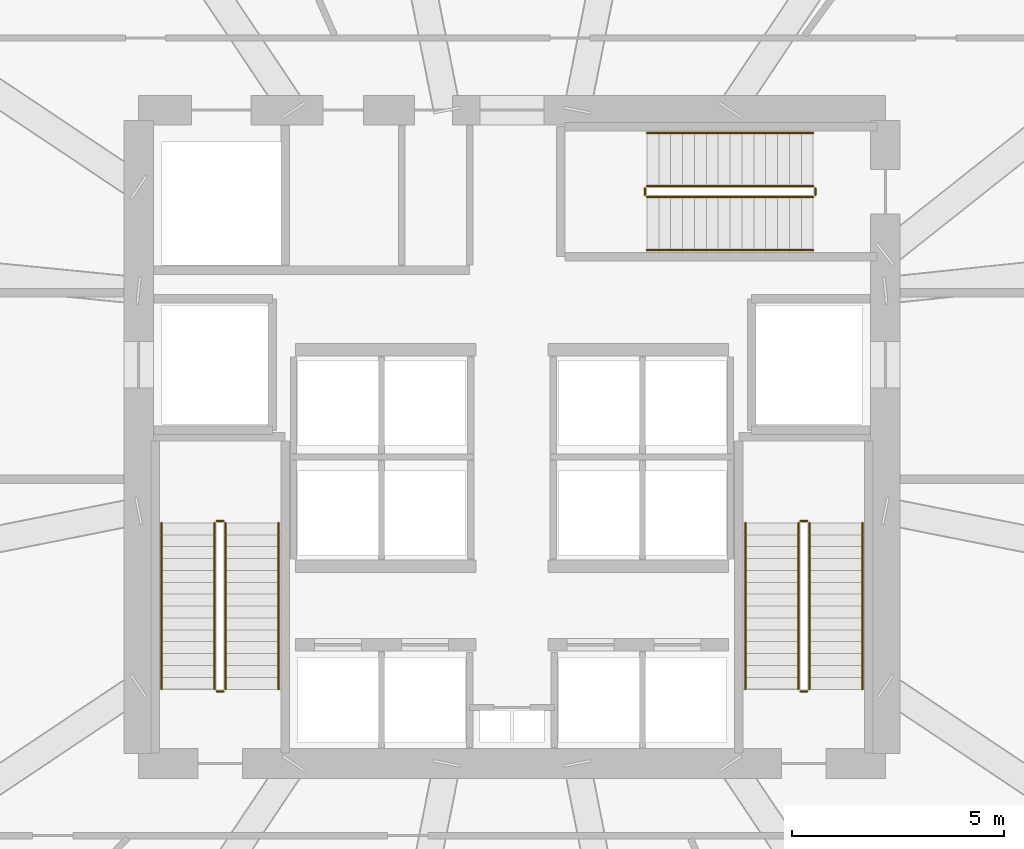
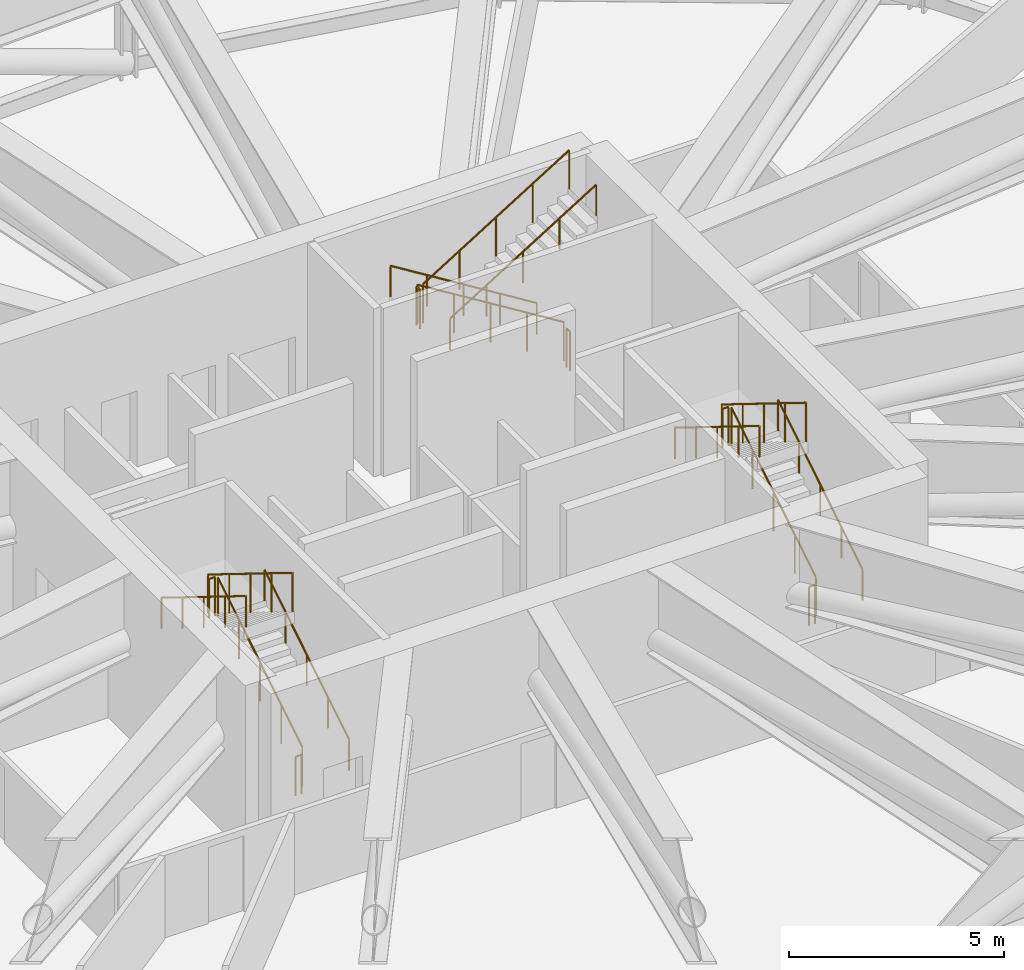
# One storey, part 33 of 33: 18 railings.
"""IFC4 building model written with IfcOpenShell, lengths in metres."""

from ifc_helpers import new_model, si_unit, direction, frame, origin, origin_2d, place, context, subcontext, project, spatial, circle, extrude, material, type_object, element, save


model = new_model("IFC4")

# Units and contexts
model_context = context("Model", 3, precision=1e-05, world=origin(), true_north=direction((0.0, 1.0)))
body_context = subcontext(model_context, "Body", "Model", "MODEL_VIEW")
ifc_project = project(units=[si_unit("LENGTHUNIT", "METRE"), si_unit("AREAUNIT", "SQUARE_METRE"), si_unit("VOLUMEUNIT", "CUBIC_METRE"), si_unit("PLANEANGLEUNIT", "RADIAN"), si_unit("MASSUNIT", "GRAM", prefix="KILO"), si_unit("THERMODYNAMICTEMPERATUREUNIT", "KELVIN")], contexts=[model_context])

# Site, building, storey
site_placement = place(None, origin())
site = spatial("IfcSite", under=ifc_project, at=site_placement, CompositionType="ELEMENT")
building_placement = place(site_placement, origin())
building = spatial("IfcBuilding", under=site, at=building_placement, Name="Kethvar Cultural Tower", CompositionType="ELEMENT")
storey_placement = place(building_placement, frame((0.0, 0.0, 80.39990234375)))
storey = spatial("IfcBuildingStorey", under=building, at=storey_placement, Name="L19", CompositionType="ELEMENT", Elevation=80.39990234375)

# Railings
ifc_material = material(Name="Steel S355J2", Category="steel")
railing_type_1 = type_object("IfcRailingType", Name="RL-STAIR-GUARD", PredefinedType="BALUSTRADE", material=ifc_material)
railing_1_placement = place(storey_placement, frame((40.050048828125, 21.85009765625, 0.17333984375)))
element("IfcRailing", 1, at=railing_1_placement, inside=storey, type_object=railing_type_1, Name="L19 ST-01 stair guard 1", PredefinedType="BALUSTRADE", context=body_context, shape_type="SweptSolid", body=[
    extrude(circle(Radius=0.02392578125, at=origin_2d()), frame((0.0, 0.0, 1.09619140625), z_axis=(0.0, 0.850251603719, 0.526376491091), x_axis=(-1.0, 0.0, 0.0)), (0.0, 0.0, 1.0), 4.6103515625),
    extrude(circle(Radius=0.02099609375, at=origin_2d()), origin(), (0.0, 0.0, 1.0), 1.072021484375),
    extrude(circle(Radius=0.02099609375, at=origin_2d()), frame((0.0, 0.97998046875, 0.606689453125)), (0.0, 0.0, 1.0), 1.072021484375),
    extrude(circle(Radius=0.02099609375, at=origin_2d()), frame((0.0, 1.9599609375, 1.21337890625)), (0.0, 0.0, 1.0), 1.072021484375),
    extrude(circle(Radius=0.02099609375, at=origin_2d()), frame((0.0, 2.93994140625, 1.820068359375)), (0.0, 0.0, 1.0), 1.072021484375),
    extrude(circle(Radius=0.02099609375, at=origin_2d()), frame((0.0, 3.919921875, 2.4267578125)), (0.0, 0.0, 1.0), 1.072021484375),
])
railing_2_placement = place(storey_placement, frame((40.0, 25.820068359375, 2.60009765625)))
element("IfcRailing", 2, at=railing_2_placement, inside=storey, type_object=railing_type_1, Name="L19 ST-01 stair guard 2", PredefinedType="BALUSTRADE", context=body_context, shape_type="SweptSolid", body=[
    extrude(circle(Radius=0.02392578125, at=origin_2d()), frame((0.0, 0.0, 1.09619140625), z_axis=(-1.0, 0.0, 0.0), x_axis=(0.0, -1.0, 0.0)), (0.0, 0.0, 1.0), 0.159912109375),
    extrude(circle(Radius=0.02099609375, at=origin_2d()), origin(), (0.0, 0.0, 1.0), 1.072021484375),
    extrude(circle(Radius=0.02099609375, at=origin_2d()), frame((-0.159912109375, 0.0, 0.0)), (0.0, 0.0, 1.0), 1.072021484375),
])
railing_3_placement = place(storey_placement, frame((39.7900390625, 25.77001953125, 2.7734375)))
element("IfcRailing", 3, at=railing_3_placement, inside=storey, type_object=railing_type_1, Name="L19 ST-01 stair guard 3", PredefinedType="BALUSTRADE", context=body_context, shape_type="SweptSolid", body=[
    extrude(circle(Radius=0.02392578125, at=origin_2d()), frame((0.0, 0.0, 1.09619140625), z_axis=(0.0, -0.850251603719, 0.526376491091), x_axis=(1.0, 0.0, 0.0)), (0.0, 0.0, 1.0), 4.6103515625),
    extrude(circle(Radius=0.02099609375, at=origin_2d()), origin(), (0.0, 0.0, 1.0), 1.072021484375),
    extrude(circle(Radius=0.02099609375, at=origin_2d()), frame((0.0, -0.97998046875, 0.606689453125)), (0.0, 0.0, 1.0), 1.072021484375),
    extrude(circle(Radius=0.02099609375, at=origin_2d()), frame((0.0, -1.9599609375, 1.21337890625)), (0.0, 0.0, 1.0), 1.072021484375),
    extrude(circle(Radius=0.02099609375, at=origin_2d()), frame((0.0, -2.93994140625, 1.820068359375)), (0.0, 0.0, 1.0), 1.072021484375),
    extrude(circle(Radius=0.02099609375, at=origin_2d()), frame((0.0, -3.919921875, 2.4267578125)), (0.0, 0.0, 1.0), 1.072021484375),
])
railing_4_placement = place(storey_placement, frame((40.0, 21.800048828125, 0.0)))
element("IfcRailing", 4, at=railing_4_placement, inside=storey, type_object=railing_type_1, Name="L19 ST-01 stair guard 4", PredefinedType="BALUSTRADE", context=body_context, shape_type="SweptSolid", body=[
    extrude(circle(Radius=0.02392578125, at=origin_2d()), frame((0.0, 0.0, 1.09619140625), z_axis=(-1.0, 0.0, 0.0), x_axis=(0.0, -1.0, 0.0)), (0.0, 0.0, 1.0), 0.159912109375),
    extrude(circle(Radius=0.02099609375, at=origin_2d()), origin(), (0.0, 0.0, 1.0), 1.072021484375),
    extrude(circle(Radius=0.02099609375, at=origin_2d()), frame((-0.159912109375, 0.0, 0.0)), (0.0, 0.0, 1.0), 1.072021484375),
])
railing_5_placement = place(storey_placement, frame((53.81005859375, 21.85009765625, 0.17333984375)))
element("IfcRailing", 5, at=railing_5_placement, inside=storey, type_object=railing_type_1, Name="L19 ST-02 stair guard 1", PredefinedType="BALUSTRADE", context=body_context, shape_type="SweptSolid", body=[
    extrude(circle(Radius=0.02392578125, at=origin_2d()), frame((0.0, 0.0, 1.09619140625), z_axis=(0.0, 0.850251603719, 0.526376491091), x_axis=(-1.0, 0.0, 0.0)), (0.0, 0.0, 1.0), 4.6103515625),
    extrude(circle(Radius=0.02099609375, at=origin_2d()), origin(), (0.0, 0.0, 1.0), 1.072021484375),
    extrude(circle(Radius=0.02099609375, at=origin_2d()), frame((0.0, 0.97998046875, 0.606689453125)), (0.0, 0.0, 1.0), 1.072021484375),
    extrude(circle(Radius=0.02099609375, at=origin_2d()), frame((0.0, 1.9599609375, 1.21337890625)), (0.0, 0.0, 1.0), 1.072021484375),
    extrude(circle(Radius=0.02099609375, at=origin_2d()), frame((0.0, 2.93994140625, 1.820068359375)), (0.0, 0.0, 1.0), 1.072021484375),
    extrude(circle(Radius=0.02099609375, at=origin_2d()), frame((0.0, 3.919921875, 2.4267578125)), (0.0, 0.0, 1.0), 1.072021484375),
])
railing_6_placement = place(storey_placement, frame((53.760009765625, 25.820068359375, 2.60009765625)))
element("IfcRailing", 6, at=railing_6_placement, inside=storey, type_object=railing_type_1, Name="L19 ST-02 stair guard 2", PredefinedType="BALUSTRADE", context=body_context, shape_type="SweptSolid", body=[
    extrude(circle(Radius=0.02392578125, at=origin_2d()), frame((0.0, 0.0, 1.09619140625), z_axis=(-1.0, 0.0, 0.0), x_axis=(0.0, -1.0, 0.0)), (0.0, 0.0, 1.0), 0.159912109375),
    extrude(circle(Radius=0.02099609375, at=origin_2d()), origin(), (0.0, 0.0, 1.0), 1.072021484375),
    extrude(circle(Radius=0.02099609375, at=origin_2d()), frame((-0.159912109375, 0.0, 0.0)), (0.0, 0.0, 1.0), 1.072021484375),
])
railing_7_placement = place(storey_placement, frame((53.550048828125, 25.77001953125, 2.7734375)))
element("IfcRailing", 7, at=railing_7_placement, inside=storey, type_object=railing_type_1, Name="L19 ST-02 stair guard 3", PredefinedType="BALUSTRADE", context=body_context, shape_type="SweptSolid", body=[
    extrude(circle(Radius=0.02392578125, at=origin_2d()), frame((0.0, 0.0, 1.09619140625), z_axis=(0.0, -0.850251603719, 0.526376491091), x_axis=(1.0, 0.0, 0.0)), (0.0, 0.0, 1.0), 4.6103515625),
    extrude(circle(Radius=0.02099609375, at=origin_2d()), origin(), (0.0, 0.0, 1.0), 1.072021484375),
    extrude(circle(Radius=0.02099609375, at=origin_2d()), frame((0.0, -0.97998046875, 0.606689453125)), (0.0, 0.0, 1.0), 1.072021484375),
    extrude(circle(Radius=0.02099609375, at=origin_2d()), frame((0.0, -1.9599609375, 1.21337890625)), (0.0, 0.0, 1.0), 1.072021484375),
    extrude(circle(Radius=0.02099609375, at=origin_2d()), frame((0.0, -2.93994140625, 1.820068359375)), (0.0, 0.0, 1.0), 1.072021484375),
    extrude(circle(Radius=0.02099609375, at=origin_2d()), frame((0.0, -3.919921875, 2.4267578125)), (0.0, 0.0, 1.0), 1.072021484375),
])
railing_8_placement = place(storey_placement, frame((53.760009765625, 21.800048828125, 0.0)))
element("IfcRailing", 8, at=railing_8_placement, inside=storey, type_object=railing_type_1, Name="L19 ST-02 stair guard 4", PredefinedType="BALUSTRADE", context=body_context, shape_type="SweptSolid", body=[
    extrude(circle(Radius=0.02392578125, at=origin_2d()), frame((0.0, 0.0, 1.09619140625), z_axis=(-1.0, 0.0, 0.0), x_axis=(0.0, -1.0, 0.0)), (0.0, 0.0, 1.0), 0.159912109375),
    extrude(circle(Radius=0.02099609375, at=origin_2d()), origin(), (0.0, 0.0, 1.0), 1.072021484375),
    extrude(circle(Radius=0.02099609375, at=origin_2d()), frame((-0.159912109375, 0.0, 0.0)), (0.0, 0.0, 1.0), 1.072021484375),
])
railing_9_placement = place(storey_placement, frame((53.89990234375, 33.7099609375, 0.17333984375)))
element("IfcRailing", 9, at=railing_9_placement, inside=storey, type_object=railing_type_1, Name="L19 ST-03 stair guard 1", PredefinedType="BALUSTRADE", context=body_context, shape_type="SweptSolid", body=[
    extrude(circle(Radius=0.02392578125, at=origin_2d()), frame((0.0, 0.0, 1.09619140625), z_axis=(-0.850251603719, 0.0, 0.526376491091), x_axis=(0.0, -1.0, 0.0)), (0.0, 0.0, 1.0), 4.6103515625),
    extrude(circle(Radius=0.02099609375, at=origin_2d()), origin(), (0.0, 0.0, 1.0), 1.072021484375),
    extrude(circle(Radius=0.02099609375, at=origin_2d()), frame((-0.97998046875, 0.0, 0.606689453125)), (0.0, 0.0, 1.0), 1.072021484375),
    extrude(circle(Radius=0.02099609375, at=origin_2d()), frame((-1.9599609375, 0.0, 1.21337890625)), (0.0, 0.0, 1.0), 1.072021484375),
    extrude(circle(Radius=0.02099609375, at=origin_2d()), frame((-2.93994140625, 0.0, 1.820068359375)), (0.0, 0.0, 1.0), 1.072021484375),
    extrude(circle(Radius=0.02099609375, at=origin_2d()), frame((-3.919921875, 0.0, 2.4267578125)), (0.0, 0.0, 1.0), 1.072021484375),
])
railing_10_placement = place(storey_placement, frame((49.929931640625, 33.659912109375, 2.60009765625)))
element("IfcRailing", 10, at=railing_10_placement, inside=storey, type_object=railing_type_1, Name="L19 ST-03 stair guard 2", PredefinedType="BALUSTRADE", context=body_context, shape_type="SweptSolid", body=[
    extrude(circle(Radius=0.02392578125, at=origin_2d()), frame((0.0, 0.0, 1.09619140625), z_axis=(0.0, -1.0, 0.0), x_axis=(1.0, 0.0, 0.0)), (0.0, 0.0, 1.0), 0.159912109375),
    extrude(circle(Radius=0.02099609375, at=origin_2d()), origin(), (0.0, 0.0, 1.0), 1.072021484375),
    extrude(circle(Radius=0.02099609375, at=origin_2d()), frame((0.0, -0.159912109375, 0.0)), (0.0, 0.0, 1.0), 1.072021484375),
])
railing_11_placement = place(storey_placement, frame((49.97998046875, 33.449951171875, 2.7734375)))
element("IfcRailing", 11, at=railing_11_placement, inside=storey, type_object=railing_type_1, Name="L19 ST-03 stair guard 3", PredefinedType="BALUSTRADE", context=body_context, shape_type="SweptSolid", body=[
    extrude(circle(Radius=0.02392578125, at=origin_2d()), frame((0.0, 0.0, 1.09619140625), z_axis=(0.850251603719, 0.0, 0.526376491091), x_axis=(0.0, 1.0, 0.0)), (0.0, 0.0, 1.0), 4.6103515625),
    extrude(circle(Radius=0.02099609375, at=origin_2d()), origin(), (0.0, 0.0, 1.0), 1.072021484375),
    extrude(circle(Radius=0.02099609375, at=origin_2d()), frame((0.97998046875, 0.0, 0.606689453125)), (0.0, 0.0, 1.0), 1.072021484375),
    extrude(circle(Radius=0.02099609375, at=origin_2d()), frame((1.9599609375, 0.0, 1.21337890625)), (0.0, 0.0, 1.0), 1.072021484375),
    extrude(circle(Radius=0.02099609375, at=origin_2d()), frame((2.93994140625, 0.0, 1.820068359375)), (0.0, 0.0, 1.0), 1.072021484375),
    extrude(circle(Radius=0.02099609375, at=origin_2d()), frame((3.919921875, 0.0, 2.4267578125)), (0.0, 0.0, 1.0), 1.072021484375),
])
railing_12_placement = place(storey_placement, frame((53.949951171875, 33.659912109375, 0.0)))
element("IfcRailing", 12, at=railing_12_placement, inside=storey, type_object=railing_type_1, Name="L19 ST-03 stair guard 4", PredefinedType="BALUSTRADE", context=body_context, shape_type="SweptSolid", body=[
    extrude(circle(Radius=0.02392578125, at=origin_2d()), frame((0.0, 0.0, 1.09619140625), z_axis=(0.0, -1.0, 0.0), x_axis=(1.0, 0.0, 0.0)), (0.0, 0.0, 1.0), 0.159912109375),
    extrude(circle(Radius=0.02099609375, at=origin_2d()), origin(), (0.0, 0.0, 1.0), 1.072021484375),
    extrude(circle(Radius=0.02099609375, at=origin_2d()), frame((0.0, -0.159912109375, 0.0)), (0.0, 0.0, 1.0), 1.072021484375),
])
railing_type_2 = type_object("IfcRailingType", Name="RL-STAIR-HANDRAIL", PredefinedType="HANDRAIL", material=ifc_material)
railing_13_placement = place(storey_placement, frame((41.300048828125, 21.85009765625, 0.17333984375)))
element("IfcRailing", 13, at=railing_13_placement, inside=storey, type_object=railing_type_2, Name="L19 ST-01 stair handrail 1", PredefinedType="HANDRAIL", context=body_context, shape_type="SweptSolid", body=[
    extrude(circle(Radius=0.02392578125, at=origin_2d()), frame((0.0, 0.0, 0.8759765625), z_axis=(0.0, 0.850251603719, 0.526376491091), x_axis=(-1.0, 0.0, 0.0)), (0.0, 0.0, 1.0), 4.6103515625),
    extrude(circle(Radius=0.02099609375, at=origin_2d()), origin(), (0.0, 0.0, 1.0), 0.851806640625),
    extrude(circle(Radius=0.02099609375, at=origin_2d()), frame((0.0, 0.97998046875, 0.606689453125)), (0.0, 0.0, 1.0), 0.851806640625),
    extrude(circle(Radius=0.02099609375, at=origin_2d()), frame((0.0, 1.9599609375, 1.21337890625)), (0.0, 0.0, 1.0), 0.851806640625),
    extrude(circle(Radius=0.02099609375, at=origin_2d()), frame((0.0, 2.93994140625, 1.820068359375)), (0.0, 0.0, 1.0), 0.851806640625),
    extrude(circle(Radius=0.02099609375, at=origin_2d()), frame((0.0, 3.919921875, 2.4267578125)), (0.0, 0.0, 1.0), 0.851806640625),
])
railing_14_placement = place(storey_placement, frame((38.5400390625, 25.77001953125, 2.7734375)))
element("IfcRailing", 14, at=railing_14_placement, inside=storey, type_object=railing_type_2, Name="L19 ST-01 stair handrail 2", PredefinedType="HANDRAIL", context=body_context, shape_type="SweptSolid", body=[
    extrude(circle(Radius=0.02392578125, at=origin_2d()), frame((0.0, 0.0, 0.8759765625), z_axis=(0.0, -0.850251603719, 0.526376491091), x_axis=(1.0, 0.0, 0.0)), (0.0, 0.0, 1.0), 4.6103515625),
    extrude(circle(Radius=0.02099609375, at=origin_2d()), origin(), (0.0, 0.0, 1.0), 0.851806640625),
    extrude(circle(Radius=0.02099609375, at=origin_2d()), frame((0.0, -0.97998046875, 0.606689453125)), (0.0, 0.0, 1.0), 0.851806640625),
    extrude(circle(Radius=0.02099609375, at=origin_2d()), frame((0.0, -1.9599609375, 1.21337890625)), (0.0, 0.0, 1.0), 0.851806640625),
    extrude(circle(Radius=0.02099609375, at=origin_2d()), frame((0.0, -2.93994140625, 1.820068359375)), (0.0, 0.0, 1.0), 0.851806640625),
    extrude(circle(Radius=0.02099609375, at=origin_2d()), frame((0.0, -3.919921875, 2.4267578125)), (0.0, 0.0, 1.0), 0.851806640625),
])
railing_15_placement = place(storey_placement, frame((55.06005859375, 21.85009765625, 0.17333984375)))
element("IfcRailing", 15, at=railing_15_placement, inside=storey, type_object=railing_type_2, Name="L19 ST-02 stair handrail 1", PredefinedType="HANDRAIL", context=body_context, shape_type="SweptSolid", body=[
    extrude(circle(Radius=0.02392578125, at=origin_2d()), frame((0.0, 0.0, 0.8759765625), z_axis=(0.0, 0.850251603719, 0.526376491091), x_axis=(-1.0, 0.0, 0.0)), (0.0, 0.0, 1.0), 4.6103515625),
    extrude(circle(Radius=0.02099609375, at=origin_2d()), origin(), (0.0, 0.0, 1.0), 0.851806640625),
    extrude(circle(Radius=0.02099609375, at=origin_2d()), frame((0.0, 0.97998046875, 0.606689453125)), (0.0, 0.0, 1.0), 0.851806640625),
    extrude(circle(Radius=0.02099609375, at=origin_2d()), frame((0.0, 1.9599609375, 1.21337890625)), (0.0, 0.0, 1.0), 0.851806640625),
    extrude(circle(Radius=0.02099609375, at=origin_2d()), frame((0.0, 2.93994140625, 1.820068359375)), (0.0, 0.0, 1.0), 0.851806640625),
    extrude(circle(Radius=0.02099609375, at=origin_2d()), frame((0.0, 3.919921875, 2.4267578125)), (0.0, 0.0, 1.0), 0.851806640625),
])
railing_16_placement = place(storey_placement, frame((52.300048828125, 25.77001953125, 2.7734375)))
element("IfcRailing", 16, at=railing_16_placement, inside=storey, type_object=railing_type_2, Name="L19 ST-02 stair handrail 2", PredefinedType="HANDRAIL", context=body_context, shape_type="SweptSolid", body=[
    extrude(circle(Radius=0.02392578125, at=origin_2d()), frame((0.0, 0.0, 0.8759765625), z_axis=(0.0, -0.850251603719, 0.526376491091), x_axis=(1.0, 0.0, 0.0)), (0.0, 0.0, 1.0), 4.6103515625),
    extrude(circle(Radius=0.02099609375, at=origin_2d()), origin(), (0.0, 0.0, 1.0), 0.851806640625),
    extrude(circle(Radius=0.02099609375, at=origin_2d()), frame((0.0, -0.97998046875, 0.606689453125)), (0.0, 0.0, 1.0), 0.851806640625),
    extrude(circle(Radius=0.02099609375, at=origin_2d()), frame((0.0, -1.9599609375, 1.21337890625)), (0.0, 0.0, 1.0), 0.851806640625),
    extrude(circle(Radius=0.02099609375, at=origin_2d()), frame((0.0, -2.93994140625, 1.820068359375)), (0.0, 0.0, 1.0), 0.851806640625),
    extrude(circle(Radius=0.02099609375, at=origin_2d()), frame((0.0, -3.919921875, 2.4267578125)), (0.0, 0.0, 1.0), 0.851806640625),
])
railing_17_placement = place(storey_placement, frame((53.89990234375, 34.9599609375, 0.17333984375)))
element("IfcRailing", 17, at=railing_17_placement, inside=storey, type_object=railing_type_2, Name="L19 ST-03 stair handrail 1", PredefinedType="HANDRAIL", context=body_context, shape_type="SweptSolid", body=[
    extrude(circle(Radius=0.02392578125, at=origin_2d()), frame((0.0, 0.0, 0.8759765625), z_axis=(-0.850251603719, 0.0, 0.526376491091), x_axis=(0.0, -1.0, 0.0)), (0.0, 0.0, 1.0), 4.6103515625),
    extrude(circle(Radius=0.02099609375, at=origin_2d()), origin(), (0.0, 0.0, 1.0), 0.851806640625),
    extrude(circle(Radius=0.02099609375, at=origin_2d()), frame((-0.97998046875, 0.0, 0.606689453125)), (0.0, 0.0, 1.0), 0.851806640625),
    extrude(circle(Radius=0.02099609375, at=origin_2d()), frame((-1.9599609375, 0.0, 1.21337890625)), (0.0, 0.0, 1.0), 0.851806640625),
    extrude(circle(Radius=0.02099609375, at=origin_2d()), frame((-2.93994140625, 0.0, 1.820068359375)), (0.0, 0.0, 1.0), 0.851806640625),
    extrude(circle(Radius=0.02099609375, at=origin_2d()), frame((-3.919921875, 0.0, 2.4267578125)), (0.0, 0.0, 1.0), 0.851806640625),
])
railing_18_placement = place(storey_placement, frame((49.97998046875, 32.199951171875, 2.7734375)))
element("IfcRailing", 18, at=railing_18_placement, inside=storey, type_object=railing_type_2, Name="L19 ST-03 stair handrail 2", PredefinedType="HANDRAIL", context=body_context, shape_type="SweptSolid", body=[
    extrude(circle(Radius=0.02392578125, at=origin_2d()), frame((0.0, 0.0, 0.8759765625), z_axis=(0.850251603719, 0.0, 0.526376491091), x_axis=(0.0, 1.0, 0.0)), (0.0, 0.0, 1.0), 4.6103515625),
    extrude(circle(Radius=0.02099609375, at=origin_2d()), origin(), (0.0, 0.0, 1.0), 0.851806640625),
    extrude(circle(Radius=0.02099609375, at=origin_2d()), frame((0.97998046875, 0.0, 0.606689453125)), (0.0, 0.0, 1.0), 0.851806640625),
    extrude(circle(Radius=0.02099609375, at=origin_2d()), frame((1.9599609375, 0.0, 1.21337890625)), (0.0, 0.0, 1.0), 0.851806640625),
    extrude(circle(Radius=0.02099609375, at=origin_2d()), frame((2.93994140625, 0.0, 1.820068359375)), (0.0, 0.0, 1.0), 0.851806640625),
    extrude(circle(Radius=0.02099609375, at=origin_2d()), frame((3.919921875, 0.0, 2.4267578125)), (0.0, 0.0, 1.0), 0.851806640625),
])

save(model, "model.ifc")
